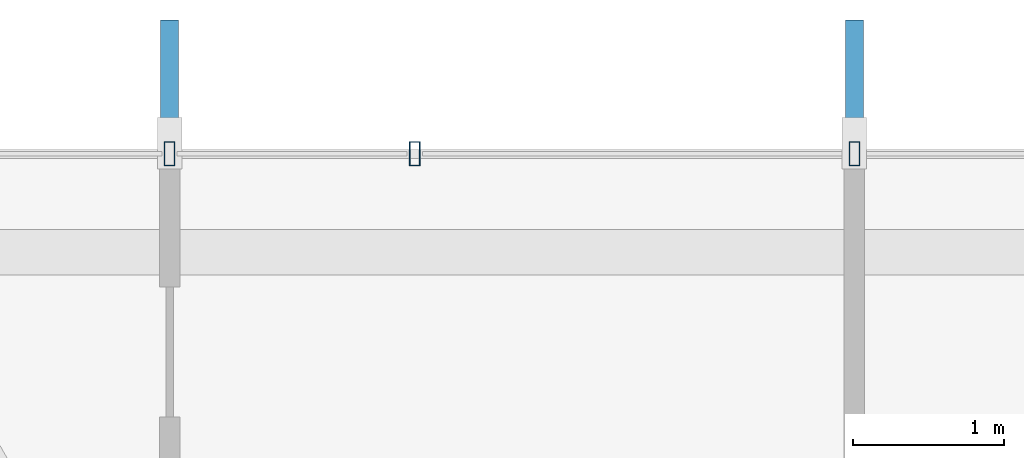
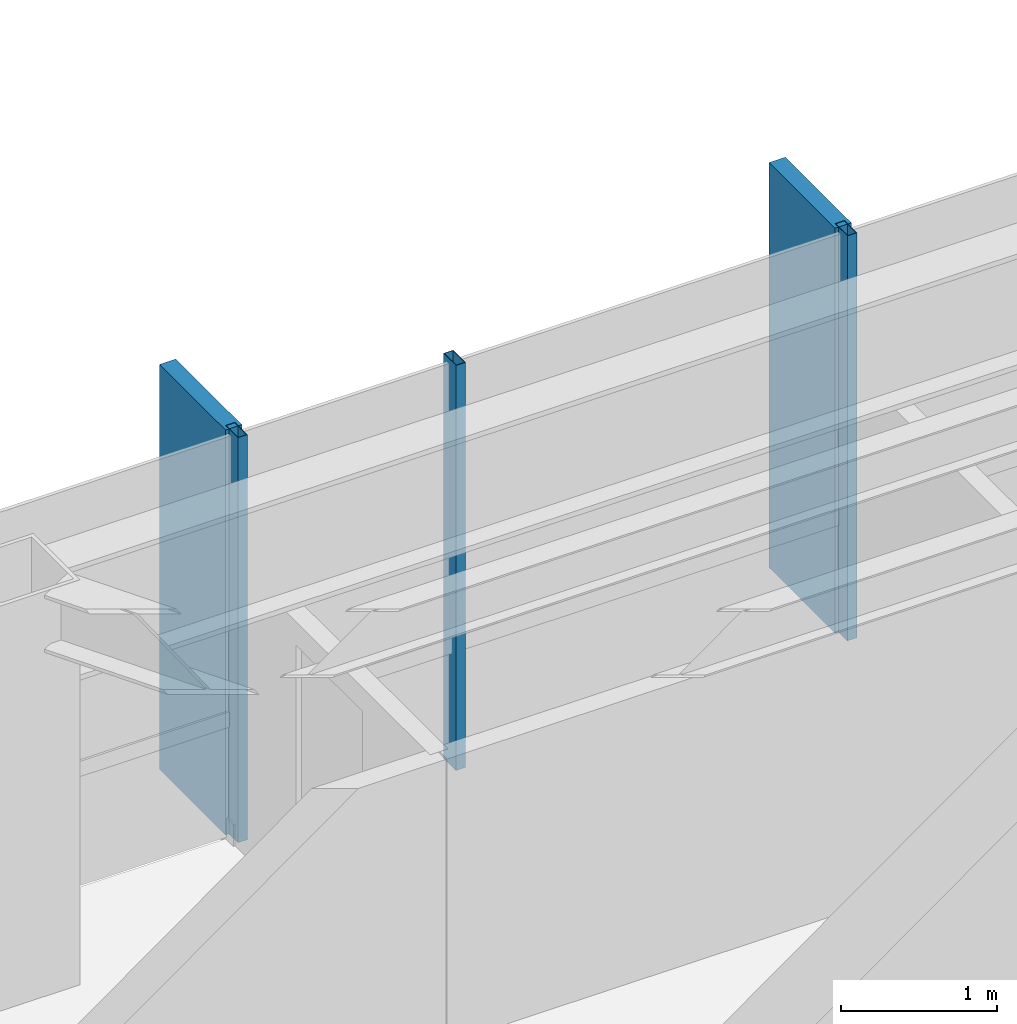
# One storey, part 16 of 27: 5 members, 1 element without a shape of its own.
"""IFC4 building model written with IfcOpenShell, lengths in metres."""

from ifc_helpers import new_model, si_unit, direction, frame, origin, origin_2d, place, context, subcontext, project, spatial, rectangle, hollow_rectangle, extrude, material, layer, layer_set, material_profile, profile_set, type_object, element, aggregate, save


model = new_model("IFC4")

# Units and contexts
model_context = context("Model", 3, precision=1e-05, world=origin(), true_north=direction((0.0, 1.0)))
body_context = subcontext(model_context, "Body", "Model", "MODEL_VIEW")
ifc_project = project(units=[si_unit("LENGTHUNIT", "METRE"), si_unit("AREAUNIT", "SQUARE_METRE"), si_unit("VOLUMEUNIT", "CUBIC_METRE"), si_unit("PLANEANGLEUNIT", "RADIAN"), si_unit("MASSUNIT", "GRAM", prefix="KILO")], contexts=[model_context])

# Site, building, storey
site_placement = place(None, origin())
site = spatial("IfcSite", under=ifc_project, at=site_placement, CompositionType="ELEMENT")
building_placement = place(site_placement, origin())
building = spatial("IfcBuilding", under=site, at=building_placement, Name="Zarrinselat Tower", CompositionType="ELEMENT")
storey_placement = place(building_placement, frame((0.0, 0.0, 232.56005859375)))
storey = spatial("IfcBuildingStorey", under=building, at=storey_placement, Name="L58", CompositionType="ELEMENT", Elevation=232.56005859375)

# Curtain wall, members
ifc_material_1 = material(Name="Extruded Aluminium Alloy EN AW-6063 T6", Category="aluminium")
ifc_layer = layer(ifc_material_1, 0.169921875)
ifc_layer_set = layer_set([ifc_layer], Name="Extruded Aluminium Alloy EN AW-6063 T6")
curtain_wall_type = type_object("IfcCurtainWallType", Name="CWS-RES", PredefinedType="NOTDEFINED", material=ifc_layer_set)
curtain_wall_placement = place(storey_placement, origin())
curtain_wall = element("IfcCurtainWall", 1, at=curtain_wall_placement, inside=storey, type_object=curtain_wall_type, Name="L58 Unitised Curtain Wall CW-L58-E01", PredefinedType="NOTDEFINED")
ifc_material_2 = material(Name="Extruded Aluminium Alloy EN AW-6063 T6", Category="aluminium")
ifc_material_profile_1 = material_profile(ifc_material_2, hollow_rectangle(XDim=0.070068359375, YDim=0.159912109375, WallThickness=0.00390625, at=origin_2d()), Name="RHS 160x70x4")
ifc_profile_set_1 = profile_set([ifc_material_profile_1], Name="Extruded Aluminium Alloy EN AW-6063 T6")
member_type_1 = type_object("IfcMemberType", Name="MEM-CW-MUL2", PredefinedType="MULLION", material=ifc_profile_set_1)
member_1_placement = place(storey_placement, frame((45.300048828125, 48.177734375, 0.0), z_axis=(0.0, 0.0, 1.0), x_axis=(-1.0, 0.0, 0.0)))
member_1 = element("IfcMember", 2, at=member_1_placement, type_object=member_type_1, Name="CW-L58-E01 Mullion 3", PredefinedType="MULLION", context=body_context, shape_type="SweptSolid", body=[
    extrude(hollow_rectangle(XDim=0.070068359375, YDim=0.159912109375, WallThickness=0.00390625, at=origin_2d()), origin(), (0.0, 0.0, 1.0), 3.179931640625),
])
member_2_placement = place(storey_placement, frame((42.393798828125, 48.177734375, 0.0), z_axis=(0.0, 0.0, 1.0), x_axis=(-1.0, 0.0, 0.0)))
member_2 = element("IfcMember", 3, at=member_2_placement, type_object=member_type_1, Name="CW-L58-E01 Mullion 4", PredefinedType="MULLION", context=body_context, shape_type="SweptSolid", body=[
    extrude(hollow_rectangle(XDim=0.070068359375, YDim=0.159912109375, WallThickness=0.00390625, at=origin_2d()), origin(), (0.0, 0.0, 1.0), 3.179931640625),
])
member_3_placement = place(storey_placement, frame((40.773681640625, 48.177734375, 0.0), z_axis=(0.0, 0.0, 1.0), x_axis=(-1.0, 0.0, 0.0)))
member_3 = element("IfcMember", 4, at=member_3_placement, type_object=member_type_1, Name="CW-L58-E01 Mullion 5", PredefinedType="MULLION", context=body_context, shape_type="SweptSolid", body=[
    extrude(hollow_rectangle(XDim=0.070068359375, YDim=0.159912109375, WallThickness=0.00390625, at=origin_2d()), origin(), (0.0, 0.0, 1.0), 3.179931640625),
])
ifc_material_3 = material(Name="Honed Cream Travertine Stone", Category="masonry")
ifc_material_profile_2 = material_profile(ifc_material_3, rectangle(XDim=0.1201171875, YDim=0.85009765625, at=origin_2d()), Name="FIN 850x120")
ifc_profile_set_2 = profile_set([ifc_material_profile_2], Name="Honed Cream Travertine Stone")
member_type_2 = type_object("IfcMemberType", Name="MEM-STONE-FIN", PredefinedType="USERDEFINED", material=ifc_profile_set_2)
member_4_placement = place(storey_placement, frame((45.300048828125, 48.6376953125, 0.0), z_axis=(0.0, 0.0, 1.0), x_axis=(1.0, 0.0, 0.0)))
member_4 = element("IfcMember", 5, at=member_4_placement, type_object=member_type_2, Name="L58 Stone Shading Fin CW-L58-E01-03", ObjectType="FIN", PredefinedType="USERDEFINED", context=body_context, shape_type="SweptSolid", body=[
    extrude(rectangle(XDim=0.1201171875, YDim=0.85009765625, at=origin_2d()), origin(), (0.0, 0.0, 1.0), 3.179931640625),
])
member_5_placement = place(storey_placement, frame((40.773681640625, 48.6376953125, 0.0), z_axis=(0.0, 0.0, 1.0), x_axis=(1.0, 0.0, 0.0)))
member_5 = element("IfcMember", 6, at=member_5_placement, type_object=member_type_2, Name="L58 Stone Shading Fin CW-L58-E01-05", ObjectType="FIN", PredefinedType="USERDEFINED", context=body_context, shape_type="SweptSolid", body=[
    extrude(rectangle(XDim=0.1201171875, YDim=0.85009765625, at=origin_2d()), origin(), (0.0, 0.0, 1.0), 3.179931640625),
])
aggregate(curtain_wall, [member_1, member_4, member_2, member_3, member_5])

save(model, "model.ifc")
